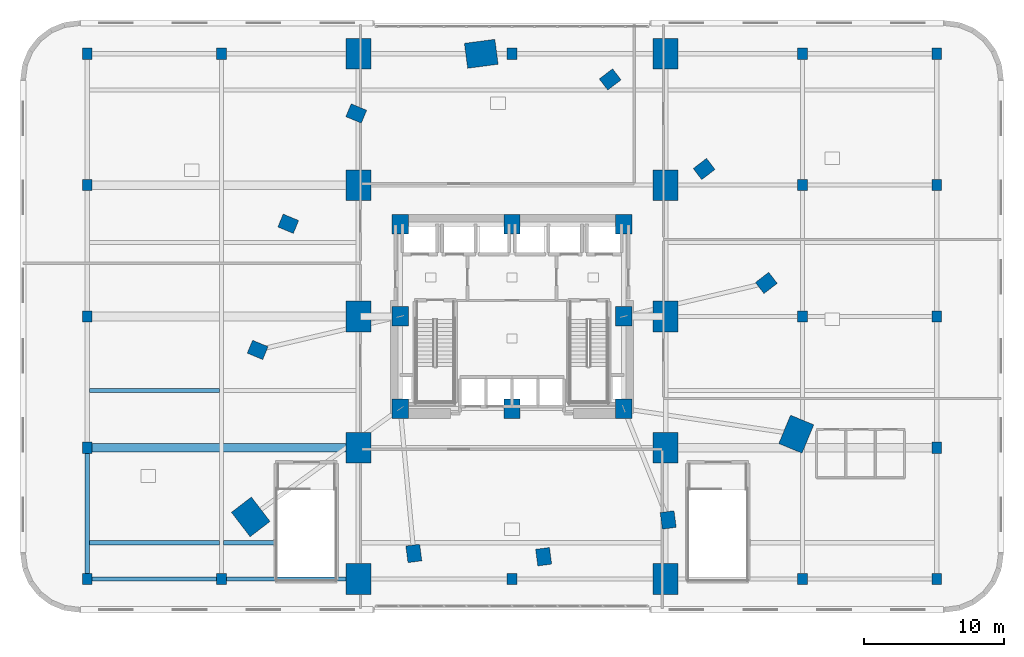
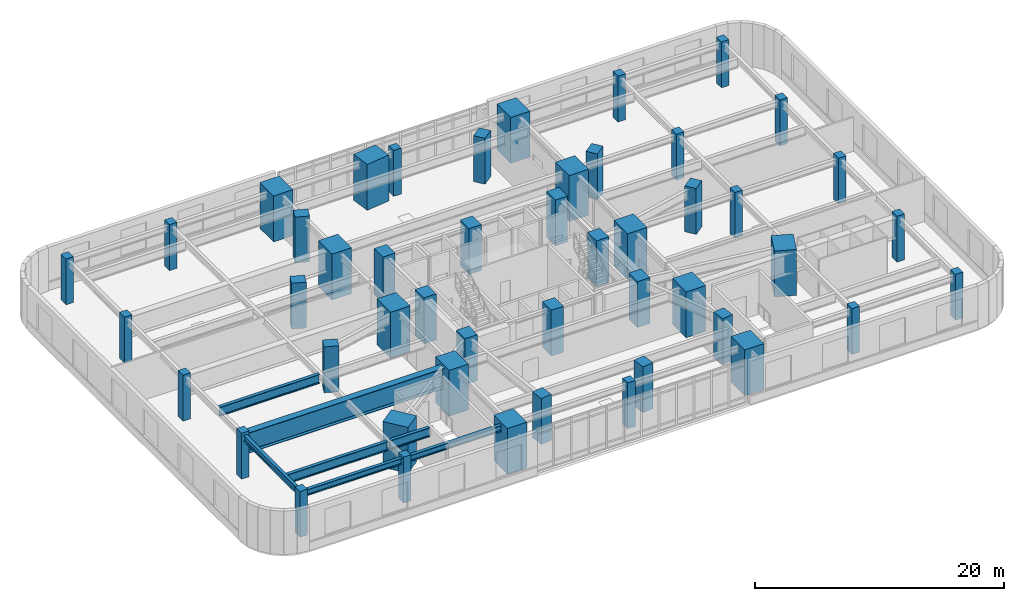
# One storey, part 1 of 20: 48 columns, 7 beams.
"""IFC4 building model written with IfcOpenShell, lengths in metres."""

from ifc_helpers import new_model, si_unit, direction, frame, origin, origin_2d, place, context, subcontext, project, spatial, rectangle, i_section, extrude, material, material_profile, profile_set, type_object, element, save


model = new_model("IFC4")

# Units and contexts
model_context = context("Model", 3, precision=1e-05, world=origin(), true_north=direction((0.0, 1.0)))
body_context = subcontext(model_context, "Body", "Model", "MODEL_VIEW")
ifc_project = project(units=[si_unit("LENGTHUNIT", "METRE"), si_unit("AREAUNIT", "SQUARE_METRE"), si_unit("VOLUMEUNIT", "CUBIC_METRE"), si_unit("PLANEANGLEUNIT", "RADIAN"), si_unit("MASSUNIT", "GRAM", prefix="KILO")], contexts=[model_context])

# Site, building, storey
site_placement = place(None, origin())
site = spatial("IfcSite", under=ifc_project, at=site_placement, CompositionType="ELEMENT")
building_placement = place(site_placement, origin())
building = spatial("IfcBuilding", under=site, at=building_placement, Name="Ndelora Gate Hotel", CompositionType="ELEMENT")
storey_placement = place(building_placement, frame((0.0, 0.0, 26.0)))
storey = spatial("IfcBuildingStorey", under=building, at=storey_placement, Name="L05", CompositionType="ELEMENT", Elevation=26.0)

# Columns
ifc_material_1 = material(Name="Concrete C60/75", Category="concrete")
ifc_material_profile_1 = material_profile(ifc_material_1, rectangle(XDim=1.800048828125, YDim=2.199951171875, at=origin_2d()), Name="RC 2200x1800")
ifc_profile_set_1 = profile_set([ifc_material_profile_1], Name="Concrete C60/75")
column_type_1 = type_object("IfcColumnType", Name="COL-ARCH-PIER", PredefinedType="COLUMN", material=ifc_profile_set_1)
for number, where, z_axis, x_axis, name in (
    (1, (-11.0, -18.800048828125, 0.0), (0.0, 0.0, 1.0), (1.0, 0.0, 0.0), "L05 Podium Column PC-04-01"),
    (2, (-11.0, -9.39990234375, 0.0), (0.0, 0.0, 1.0), (1.0, 0.0, 0.0), "L05 Podium Column PC-04-02"),
    (3, (-11.0, 0.0, 0.0), (0.0, 0.0, 1.0), (1.0, 0.0, 0.0), "L05 Podium Column PC-04-03"),
    (4, (-11.0, 9.39990234375, 0.0), (0.0, 0.0, 1.0), (1.0, 0.0, 0.0), "L05 Podium Column PC-04-04"),
    (5, (-11.0, 18.800048828125, 0.0), (0.0, 0.0, 1.0), (1.0, 0.0, 0.0), "L05 Podium Column PC-04-05"),
    (6, (11.0, -18.800048828125, 0.0), (0.0, 0.0, 1.0), (1.0, 0.0, 0.0), "L05 Podium Column PC-05-01"),
    (7, (11.0, -9.39990234375, 0.0), (0.0, 0.0, 1.0), (1.0, 0.0, 0.0), "L05 Podium Column PC-05-02"),
    (8, (11.0, 0.0, 0.0), (0.0, 0.0, 1.0), (1.0, 0.0, 0.0), "L05 Podium Column PC-05-03"),
    (9, (11.0, 9.39990234375, 0.0), (0.0, 0.0, 1.0), (1.0, 0.0, 0.0), "L05 Podium Column PC-05-04"),
    (10, (11.0, 18.800048828125, 0.0), (0.0, 0.0, 1.0), (1.0, 0.0, 0.0), "L05 Podium Column PC-05-05"),
):
    element("IfcColumn", number, at=place(storey_placement, frame(where, z_axis=z_axis, x_axis=x_axis)), inside=storey, type_object=column_type_1, Name=name, PredefinedType="COLUMN", context=body_context, shape_type="SweptSolid", body=[
        extrude(rectangle(XDim=1.800048828125, YDim=2.199951171875, at=origin_2d()), origin(), (0.0, 0.0, 1.0), 4.5),
    ])
ifc_material_profile_2 = material_profile(ifc_material_1, rectangle(XDim=1.14990234375, YDim=1.39990234375, at=origin_2d()), Name="RC 1400x1150")
ifc_profile_set_2 = profile_set([ifc_material_profile_2], Name="Concrete C60/75")
column_type_2 = type_object("IfcColumnType", Name="COL-CC-LOW", PredefinedType="COLUMN", material=ifc_profile_set_2)
for number, where, z_axis, x_axis, name in (
    (11, (-8.0, -6.60009765625, 0.0), (0.0, 0.0, 1.0), (1.0, 0.0, 0.0), "L05 Core Column CC1"),
    (12, (0.0, -6.60009765625, 0.0), (0.0, 0.0, 1.0), (1.0, 0.0, 0.0), "L05 Core Column CC2"),
    (13, (8.0, -6.60009765625, 0.0), (0.0, 0.0, 1.0), (1.0, 0.0, 0.0), "L05 Core Column CC3"),
    (14, (8.0, 0.0, 0.0), (0.0, 0.0, 1.0), (1.0, 0.0, 0.0), "L05 Core Column CC4"),
    (15, (8.0, 6.60009765625, 0.0), (0.0, 0.0, 1.0), (1.0, 0.0, 0.0), "L05 Core Column CC5"),
    (16, (0.0, 6.60009765625, 0.0), (0.0, 0.0, 1.0), (1.0, 0.0, 0.0), "L05 Core Column CC6"),
    (17, (-8.0, 6.60009765625, 0.0), (0.0, 0.0, 1.0), (1.0, 0.0, 0.0), "L05 Core Column CC7"),
    (18, (-8.0, 0.0, 0.0), (0.0, 0.0, 1.0), (1.0, 0.0, 0.0), "L05 Core Column CC8"),
):
    element("IfcColumn", number, at=place(storey_placement, frame(where, z_axis=z_axis, x_axis=x_axis)), inside=storey, type_object=column_type_2, Name=name, PredefinedType="COLUMN", context=body_context, shape_type="SweptSolid", body=[
        extrude(rectangle(XDim=1.14990234375, YDim=1.39990234375, at=origin_2d()), origin(), (0.0, 0.0, 1.0), 4.5),
    ])
ifc_material_profile_3 = material_profile(ifc_material_1, rectangle(XDim=1.800048828125, YDim=2.199951171875, at=origin_2d()), Name="RC 2200x1800")
ifc_profile_set_3 = profile_set([ifc_material_profile_3], Name="Concrete C60/75")
column_type_3 = type_object("IfcColumnType", Name="COL-MC-Z1", PredefinedType="COLUMN", material=ifc_profile_set_3)
for number, where, z_axis, x_axis, name in (
    (19, (-2.199951171875, 18.800048828125, 0.0), (0.0, 0.0, 1.0), (-0.13052619222, 0.991444861374, 0.0), "L05 Tower Plumb Root Column R1"),
    (20, (-18.701904296875, -14.3505859375, 0.0), (0.0, 0.0, 1.0), (0.793353340291, 0.608761429009, 0.0), "L05 Tower Plumb Root Column R5"),
    (21, (20.35009765625, -8.42919921875, 0.0), (0.0, 0.0, 1.0), (-0.923879532511, 0.382683432365, 0.0), "L05 Tower Plumb Root Column R9"),
):
    element("IfcColumn", number, at=place(storey_placement, frame(where, z_axis=z_axis, x_axis=x_axis)), inside=storey, type_object=column_type_3, Name=name, PredefinedType="COLUMN", context=body_context, shape_type="SweptSolid", body=[
        extrude(rectangle(XDim=1.800048828125, YDim=2.199951171875, at=origin_2d()), origin(), (0.0, 0.0, 1.0), 4.5),
    ])
ifc_material_2 = material(Name="Concrete C50/60", Category="concrete")
ifc_material_profile_4 = material_profile(ifc_material_2, rectangle(XDim=0.699951171875, YDim=0.800048828125, at=origin_2d()), Name="RC 800x700")
ifc_profile_set_4 = profile_set([ifc_material_profile_4], Name="Concrete C50/60")
column_type_4 = type_object("IfcColumnType", Name="COL-POD-UP", PredefinedType="COLUMN", material=ifc_profile_set_4)
for number, where, z_axis, x_axis, name in (
    (22, (-30.39990234375, -18.800048828125, 0.0), (0.0, 0.0, 1.0), (1.0, 0.0, 0.0), "L05 Podium Column PC-02-01"),
    (23, (-30.39990234375, -9.39990234375, 0.0), (0.0, 0.0, 1.0), (1.0, 0.0, 0.0), "L05 Podium Column PC-02-02"),
    (24, (-30.39990234375, 0.0, 0.0), (0.0, 0.0, 1.0), (1.0, 0.0, 0.0), "L05 Podium Column PC-02-03"),
    (25, (-30.39990234375, 9.39990234375, 0.0), (0.0, 0.0, 1.0), (1.0, 0.0, 0.0), "L05 Podium Column PC-02-04"),
    (26, (-30.39990234375, 18.800048828125, 0.0), (0.0, 0.0, 1.0), (1.0, 0.0, 0.0), "L05 Podium Column PC-02-05"),
    (27, (-20.800048828125, -18.800048828125, 0.0), (0.0, 0.0, 1.0), (1.0, 0.0, 0.0), "L05 Podium Column PC-03-01"),
    (28, (-20.800048828125, 18.800048828125, 0.0), (0.0, 0.0, 1.0), (1.0, 0.0, 0.0), "L05 Podium Column PC-03-05"),
    (29, (20.800048828125, -18.800048828125, 0.0), (0.0, 0.0, 1.0), (1.0, 0.0, 0.0), "L05 Podium Column PC-06-01"),
    (30, (20.800048828125, 0.0, 0.0), (0.0, 0.0, 1.0), (1.0, 0.0, 0.0), "L05 Podium Column PC-06-03"),
    (31, (20.800048828125, 9.39990234375, 0.0), (0.0, 0.0, 1.0), (1.0, 0.0, 0.0), "L05 Podium Column PC-06-04"),
    (32, (20.800048828125, 18.800048828125, 0.0), (0.0, 0.0, 1.0), (1.0, 0.0, 0.0), "L05 Podium Column PC-06-05"),
    (33, (30.39990234375, -18.800048828125, 0.0), (0.0, 0.0, 1.0), (1.0, 0.0, 0.0), "L05 Podium Column PC-07-01"),
    (34, (30.39990234375, -9.39990234375, 0.0), (0.0, 0.0, 1.0), (1.0, 0.0, 0.0), "L05 Podium Column PC-07-02"),
    (35, (30.39990234375, 0.0, 0.0), (0.0, 0.0, 1.0), (1.0, 0.0, 0.0), "L05 Podium Column PC-07-03"),
    (36, (30.39990234375, 9.39990234375, 0.0), (0.0, 0.0, 1.0), (1.0, 0.0, 0.0), "L05 Podium Column PC-07-04"),
    (37, (30.39990234375, 18.800048828125, 0.0), (0.0, 0.0, 1.0), (1.0, 0.0, 0.0), "L05 Podium Column PC-07-05"),
    (38, (0.0, -18.800048828125, 0.0), (0.0, 0.0, 1.0), (1.0, 0.0, 0.0), "L05 Portal Arch Crown Column S"),
    (39, (0.0, 18.800048828125, 0.0), (0.0, 0.0, 1.0), (1.0, 0.0, 0.0), "L05 Portal Arch Crown Column N"),
):
    element("IfcColumn", number, at=place(storey_placement, frame(where, z_axis=z_axis, x_axis=x_axis)), inside=storey, type_object=column_type_4, Name=name, PredefinedType="COLUMN", context=body_context, shape_type="SweptSolid", body=[
        extrude(rectangle(XDim=0.699951171875, YDim=0.800048828125, at=origin_2d()), origin(), (0.0, 0.0, 1.0), 4.5),
    ])
ifc_material_profile_5 = material_profile(ifc_material_1, rectangle(XDim=1.0, YDim=1.199951171875, at=origin_2d()), Name="RC 1200x1000")
ifc_profile_set_5 = profile_set([ifc_material_profile_5], Name="Concrete C60/75")
column_type_5 = type_object("IfcColumnType", Name="COL-PT-Z1", PredefinedType="COLUMN", material=ifc_profile_set_5)
for number, where, z_axis, x_axis, name in (
    (40, (-11.1484375, 14.529052734375, 0.0), (0.0, 0.0, 1.0), (0.382683432365, 0.923879532511, 0.0), "L05 Tower Plumb Root Column R2"),
    (41, (-16.016845703125, 6.634521484375, 0.0), (0.0, 0.0, 1.0), (0.382683432365, 0.923879532511, 0.0), "L05 Tower Plumb Root Column R3"),
    (42, (-18.207275390625, -2.39697265625, 0.0), (0.0, 0.0, 1.0), (0.382683432365, 0.923879532511, 0.0), "L05 Tower Plumb Root Column R4"),
    (43, (-7.027587890625, -16.96630859375, 0.0), (0.0, 0.0, 1.0), (0.991444861374, 0.13052619222, 0.0), "L05 Tower Plumb Root Column R6"),
    (44, (2.2646484375, -17.20166015625, 0.0), (0.0, 0.0, 1.0), (0.991444861374, 0.13052619222, 0.0), "L05 Tower Plumb Root Column R7"),
    (45, (11.179443359375, -14.5693359375, 0.0), (0.0, 0.0, 1.0), (0.991444861374, 0.13052619222, 0.0), "L05 Tower Plumb Root Column R8"),
    (46, (18.207275390625, 2.39697265625, 0.0), (0.0, 0.0, 1.0), (-0.608761429009, 0.793353340291, 0.0), "L05 Tower Plumb Root Column R10"),
    (47, (13.75390625, 10.5537109375, 0.0), (0.0, 0.0, 1.0), (-0.608761429009, 0.793353340291, 0.0), "L05 Tower Plumb Root Column R11"),
    (48, (7.027587890625, 16.96630859375, 0.0), (0.0, 0.0, 1.0), (-0.608761429009, 0.793353340291, 0.0), "L05 Tower Plumb Root Column R12"),
):
    element("IfcColumn", number, at=place(storey_placement, frame(where, z_axis=z_axis, x_axis=x_axis)), inside=storey, type_object=column_type_5, Name=name, PredefinedType="COLUMN", context=body_context, shape_type="SweptSolid", body=[
        extrude(rectangle(XDim=1.0, YDim=1.199951171875, at=origin_2d()), origin(), (0.0, 0.0, 1.0), 4.5),
    ])

# Beams
ifc_material_3 = material(Name="Steel S460", Category="steel")
ifc_material_profile_6 = material_profile(ifc_material_3, i_section(OverallWidth=0.300048828125, OverallDepth=0.89990234375, WebThickness=0.0185546875, FlangeThickness=0.034912109375, FilletRadius=0.030029296875, at=origin_2d()), Name="HEB 900")
ifc_profile_set_6 = profile_set([ifc_material_profile_6], Name="Steel S460")
beam_type_1 = type_object("IfcBeamType", Name="BM-BELT-900", PredefinedType="SPANDREL", material=ifc_profile_set_6)
beam_1_placement = place(storey_placement, frame((-30.25, -16.199951171875, 3.7900390625), z_axis=(1.0, 0.0, 0.0), x_axis=(0.0, 1.0, 0.0)))
element("IfcBeam", 49, at=beam_1_placement, inside=storey, type_object=beam_type_1, Name="L05 Podium Composite Secondary Joist 1", PredefinedType="SPANDREL", context=body_context, shape_type="SweptSolid", body=[
    extrude(i_section(OverallWidth=0.300048828125, OverallDepth=0.89990234375, WebThickness=0.0185546875, FlangeThickness=0.034912109375, FilletRadius=0.030029296875, at=origin_2d()), origin(), (0.0, 0.0, 1.0), 9.300048828125),
])
beam_2_placement = place(storey_placement, frame((-20.64990234375, -16.199951171875, 3.7900390625), z_axis=(1.0, 0.0, 0.0), x_axis=(0.0, 1.0, 0.0)))
element("IfcBeam", 50, at=beam_2_placement, inside=storey, type_object=beam_type_1, Name="L05 Podium Composite Secondary Joist 2", PredefinedType="SPANDREL", context=body_context, shape_type="SweptSolid", body=[
    extrude(i_section(OverallWidth=0.300048828125, OverallDepth=0.89990234375, WebThickness=0.0185546875, FlangeThickness=0.034912109375, FilletRadius=0.030029296875, at=origin_2d()), origin(), (0.0, 0.0, 1.0), 3.659912109375),
])
beam_3_placement = place(storey_placement, frame((-30.25, -5.300048828125, 3.7900390625), z_axis=(1.0, 0.0, 0.0), x_axis=(0.0, 1.0, 0.0)))
element("IfcBeam", 51, at=beam_3_placement, inside=storey, type_object=beam_type_1, Name="L05 Podium Composite Secondary Joist 1", PredefinedType="SPANDREL", context=body_context, shape_type="SweptSolid", body=[
    extrude(i_section(OverallWidth=0.300048828125, OverallDepth=0.89990234375, WebThickness=0.0185546875, FlangeThickness=0.034912109375, FilletRadius=0.030029296875, at=origin_2d()), origin(), (0.0, 0.0, 1.0), 9.300048828125),
])
ifc_material_4 = material(Name="Steel S355", Category="steel")
ifc_material_profile_7 = material_profile(ifc_material_4, i_section(OverallWidth=0.300048828125, OverallDepth=0.60009765625, WebThickness=0.015380859375, FlangeThickness=0.030029296875, FilletRadius=0.027099609375, at=origin_2d()), Name="HEB 600")
ifc_profile_set_7 = profile_set([ifc_material_profile_7], Name="Steel S355")
beam_type_2 = type_object("IfcBeamType", Name="BM-POD-600", PredefinedType="BEAM", material=ifc_profile_set_7)
beam_4_placement = place(storey_placement, frame((-30.39990234375, -18.800048828125, 3.93994140625), z_axis=(0.0, 1.0, 0.0), x_axis=(-1.0, 0.0, 0.0)))
element("IfcBeam", 52, at=beam_4_placement, inside=storey, type_object=beam_type_2, Name="L05 Podium Longitudinal Girder X=-30.4", PredefinedType="BEAM", context=body_context, shape_type="SweptSolid", body=[
    extrude(i_section(OverallWidth=0.300048828125, OverallDepth=0.60009765625, WebThickness=0.015380859375, FlangeThickness=0.030029296875, FilletRadius=0.027099609375, at=origin_2d()), origin(), (0.0, 0.0, 1.0), 9.400146484375),
])
beam_5_placement = place(storey_placement, frame((-30.39990234375, -18.800048828125, 3.93994140625), z_axis=(1.0, 0.0, 0.0), x_axis=(0.0, 1.0, 0.0)))
element("IfcBeam", 53, at=beam_5_placement, inside=storey, type_object=beam_type_2, Name="L05 Podium Transverse Girder Y=-18.8", PredefinedType="BEAM", context=body_context, shape_type="SweptSolid", body=[
    extrude(i_section(OverallWidth=0.300048828125, OverallDepth=0.60009765625, WebThickness=0.015380859375, FlangeThickness=0.030029296875, FilletRadius=0.027099609375, at=origin_2d()), origin(), (0.0, 0.0, 1.0), 9.599853515625),
])
beam_6_placement = place(storey_placement, frame((-20.800048828125, -18.800048828125, 3.93994140625), z_axis=(1.0, 0.0, 0.0), x_axis=(0.0, 1.0, 0.0)))
element("IfcBeam", 54, at=beam_6_placement, inside=storey, type_object=beam_type_2, Name="L05 Podium Transverse Girder Y=-18.8", PredefinedType="BEAM", context=body_context, shape_type="SweptSolid", body=[
    extrude(i_section(OverallWidth=0.300048828125, OverallDepth=0.60009765625, WebThickness=0.015380859375, FlangeThickness=0.030029296875, FilletRadius=0.027099609375, at=origin_2d()), origin(), (0.0, 0.0, 1.0), 9.800048828125),
])
ifc_material_profile_8 = material_profile(ifc_material_3, i_section(OverallWidth=0.6201171875, OverallDepth=2.0, WebThickness=0.028076171875, FlangeThickness=0.0400390625, FilletRadius=0.02392578125, at=origin_2d()), Name="PG 2000x620x40")
ifc_profile_set_8 = profile_set([ifc_material_profile_8], Name="Steel S460")
beam_type_3 = type_object("IfcBeamType", Name="BM-TR-2000", PredefinedType="BEAM", material=ifc_profile_set_8)
beam_7_placement = place(storey_placement, frame((-30.39990234375, -9.39990234375, 3.239990234375), z_axis=(1.0, 0.0, 0.0), x_axis=(0.0, 1.0, 0.0)))
element("IfcBeam", 55, at=beam_7_placement, inside=storey, type_object=beam_type_3, Name="L05 Podium Transverse Girder Y=-9.4", PredefinedType="BEAM", context=body_context, shape_type="SweptSolid", body=[
    extrude(i_section(OverallWidth=0.6201171875, OverallDepth=2.0, WebThickness=0.028076171875, FlangeThickness=0.0400390625, FilletRadius=0.02392578125, at=origin_2d()), origin(), (0.0, 0.0, 1.0), 19.39990234375),
])

save(model, "model.ifc")
